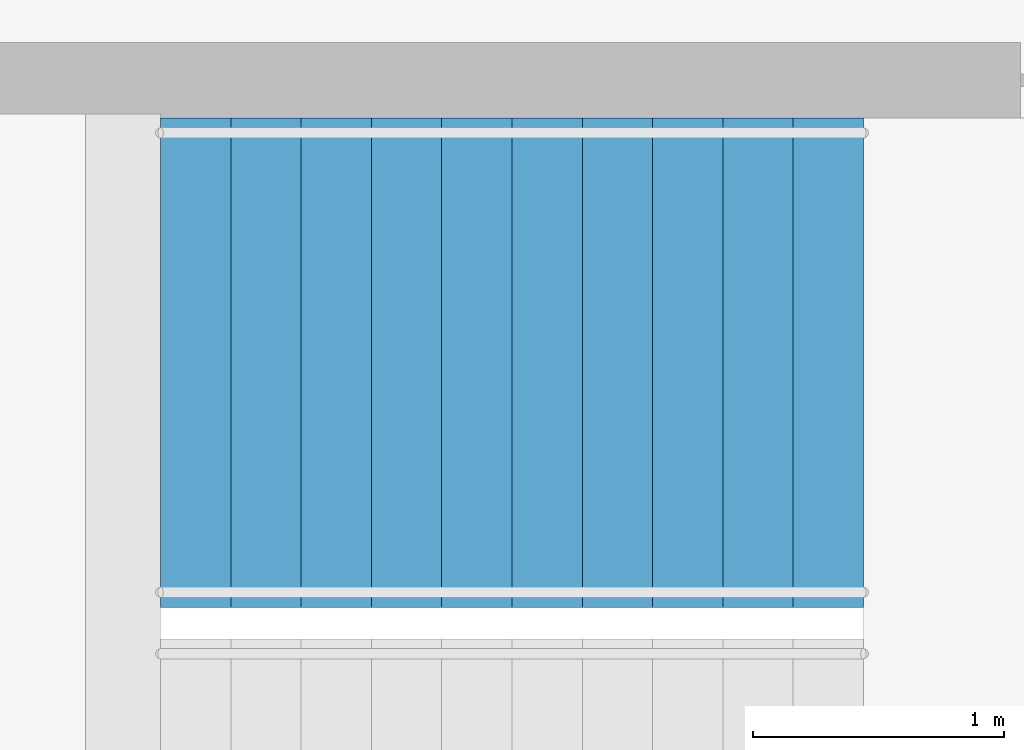
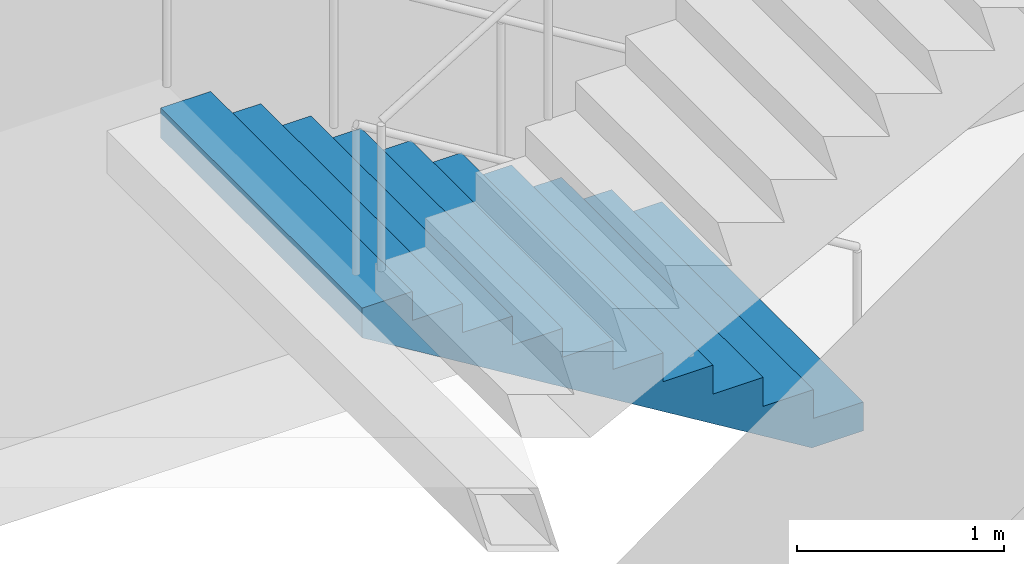
# One storey, part 26 of 27: 1 stair flight, 1 element without a shape of its own.
"""IFC4 building model written with IfcOpenShell, lengths in metres."""

from ifc_helpers import new_model, si_unit, direction, frame, origin, place, context, subcontext, project, spatial, triangles, material, type_object, element, aggregate, save


model = new_model("IFC4")

# Units and contexts
model_context = context("Model", 3, precision=1e-05, world=origin(), true_north=direction((0.0, 1.0)))
body_context = subcontext(model_context, "Body", "Model", "MODEL_VIEW")
ifc_project = project(units=[si_unit("LENGTHUNIT", "METRE"), si_unit("AREAUNIT", "SQUARE_METRE"), si_unit("VOLUMEUNIT", "CUBIC_METRE"), si_unit("PLANEANGLEUNIT", "RADIAN"), si_unit("MASSUNIT", "GRAM", prefix="KILO")], contexts=[model_context])

# Site, building, storey
site_placement = place(None, origin())
site = spatial("IfcSite", under=ifc_project, at=site_placement, CompositionType="ELEMENT")
building_placement = place(site_placement, origin())
building = spatial("IfcBuilding", under=site, at=building_placement, Name="Orbita Commons", CompositionType="ELEMENT")
storey_placement = place(building_placement, frame((0.0, 0.0, 178.60009765625)))
storey = spatial("IfcBuildingStorey", under=building, at=storey_placement, Name="L44", CompositionType="ELEMENT", Elevation=178.60009765625)

# Stair, stair flight
ifc_material_1 = material(Name="Precast concrete C40/50", Category="concrete")
stair_type = type_object("IfcStairType", Name="Exit stair S2 2 flights 11 risers 170", PredefinedType="HALF_TURN_STAIR", material=ifc_material_1)
stair_placement = place(storey_placement, origin())
stair = element("IfcStair", 1, at=stair_placement, inside=storey, type_object=stair_type, Name="Exit stair S2 L44", PredefinedType="HALF_TURN_STAIR")
ifc_material_2 = material(Name="Precast concrete C40/50", Category="concrete")
stair_flight_type = type_object("IfcStairFlightType", Name="Stair flight 11 risers 170 x 280", PredefinedType="STRAIGHT", material=ifc_material_2)
stair_flight_placement = place(storey_placement, frame((63.550048828125, 29.27490234375, 0.0), z_axis=(0.0, 0.0, 1.0), x_axis=(-1.0, 0.0, 0.0)))
stair_flight = element("IfcStairFlight", 2, at=stair_flight_placement, type_object=stair_flight_type, Name="S2 flight 1", NumberOfRisers=11, NumberOfTreads=10, PredefinedType="STRAIGHT", RiserHeight=0.170454545, TreadLength=0.28, context=body_context, shape_type="Tessellation", body=[
    triangles([(0.0, 0.974976, 0.0), (0.0, 0.974976, 0.021307), (0.0, 0.81248, 0.021307), (0.0, 0.81248, 0.0), (0.0, 0.649984, 0.021307), (0.0, 0.649984, 0.0), (0.0, 0.487488, 0.021307), (0.0, 0.487488, 0.0), (0.0, 0.324992, 0.021307), (0.0, 0.324992, 0.0), (0.0, 0.162496, 0.021307), (0.0, 0.162496, 0.0), (0.0, 0.0, 0.021307), (0.0, 0.0, 0.0), (0.0, -0.162496, 0.021307), (0.0, -0.162496, 0.0), (0.0, -0.324992, 0.021307), (0.0, -0.324992, 0.0), (0.0, -0.487488, 0.021307), (0.0, -0.487488, 0.0), (0.0, -0.649984, 0.021307), (0.0, -0.649984, 0.0), (0.0, -0.81248, 0.021307), (0.0, -0.81248, 0.0), (0.0, -0.974976, 0.021307), (0.0, -0.974976, 0.0), (0.0, 0.974976, 0.042614), (0.0, 0.81248, 0.042614), (0.0, 0.649984, 0.042614), (0.0, 0.487488, 0.042614), (0.0, 0.324992, 0.042614), (0.0, 0.162496, 0.042614), (0.0, 0.0, 0.042614), (0.0, -0.162496, 0.042614), (0.0, -0.324992, 0.042614), (0.0, -0.487488, 0.042614), (0.0, -0.649984, 0.042614), (0.0, -0.81248, 0.042614), (0.0, -0.974976, 0.042614), (0.0, 0.974976, 0.06392), (0.0, 0.81248, 0.06392), (0.0, 0.649984, 0.06392), (0.0, 0.487488, 0.06392), (0.0, 0.324992, 0.06392), (0.0, 0.162496, 0.06392), (0.0, 0.0, 0.06392), (0.0, -0.162496, 0.06392), (0.0, -0.324992, 0.06392), (0.0, -0.487488, 0.06392), (0.0, -0.649984, 0.06392), (0.0, -0.81248, 0.06392), (0.0, -0.974976, 0.06392), (0.0, 0.974976, 0.085227), (0.0, 0.81248, 0.085227), (0.0, 0.649984, 0.085227), (0.0, 0.487488, 0.085227), (0.0, 0.324992, 0.085227), (0.0, 0.162496, 0.085227), (0.0, 0.0, 0.085227), (0.0, -0.162496, 0.085227), (0.0, -0.324992, 0.085227), (0.0, -0.487488, 0.085227), (0.0, -0.649984, 0.085227), (0.0, -0.81248, 0.085227), (0.0, -0.974976, 0.085227), (0.0, 0.974976, 0.106534), (0.0, 0.81248, 0.106534), (0.0, 0.649984, 0.106534), (0.0, 0.487488, 0.106534), (0.0, 0.324992, 0.106534), (0.0, 0.162496, 0.106534), (0.0, 0.0, 0.106534), (0.0, -0.162496, 0.106534), (0.0, -0.324992, 0.106534), (0.0, -0.487488, 0.106534), (0.0, -0.649984, 0.106534), (0.0, -0.81248, 0.106534), (0.0, -0.974976, 0.106534), (0.0, 0.974976, 0.127841), (0.0, 0.81248, 0.127841), (0.0, 0.649984, 0.127841), (0.0, 0.487488, 0.127841), (0.0, 0.324992, 0.127841), (0.0, 0.162496, 0.127841), (0.0, 0.0, 0.127841), (0.0, -0.162496, 0.127841), (0.0, -0.324992, 0.127841), (0.0, -0.487488, 0.127841), (0.0, -0.649984, 0.127841), (0.0, -0.81248, 0.127841), (0.0, -0.974976, 0.127841), (0.0, 0.974976, 0.149148), (0.0, 0.81248, 0.149148), (0.0, 0.649984, 0.149148), (0.0, 0.487488, 0.149148), (0.0, 0.324992, 0.149148), (0.0, 0.162496, 0.149148), (0.0, 0.0, 0.149148), (0.0, -0.162496, 0.149148), (0.0, -0.324992, 0.149148), (0.0, -0.487488, 0.149148), (0.0, -0.649984, 0.149148), (0.0, -0.81248, 0.149148), (0.0, -0.974976, 0.149148), (0.0, 0.974976, 0.170455), (0.0, 0.81248, 0.170455), (0.0, 0.649984, 0.170455), (0.0, 0.487488, 0.170455), (0.0, 0.324992, 0.170455), (0.0, 0.162496, 0.170455), (0.0, 0.0, 0.170455), (0.0, -0.162496, 0.170455), (0.0, -0.324992, 0.170455), (0.0, -0.487488, 0.170455), (0.0, -0.649984, 0.170455), (0.0, -0.81248, 0.170455), (0.0, -0.974976, 0.170455), (0.28, 0.974976, 0.170455), (0.28, 0.81248, 0.170455), (0.28, 0.649984, 0.170455), (0.28, 0.487488, 0.170455), (0.28, 0.324992, 0.170455), (0.28, 0.162496, 0.170455), (0.28, 0.0, 0.170455), (0.28, -0.162496, 0.170455), (0.28, -0.324992, 0.170455), (0.28, -0.487488, 0.170455), (0.28, -0.649984, 0.170455), (0.28, -0.81248, 0.170455), (0.28, -0.974976, 0.170455), (0.28, 0.974976, 0.340909), (0.28, 0.81248, 0.340909), (0.28, 0.649984, 0.340909), (0.28, 0.487488, 0.340909), (0.28, 0.324992, 0.340909), (0.28, 0.162496, 0.340909), (0.28, 0.0, 0.340909), (0.28, -0.162496, 0.340909), (0.28, -0.324992, 0.340909), (0.28, -0.487488, 0.340909), (0.28, -0.649984, 0.340909), (0.28, -0.81248, 0.340909), (0.28, -0.974976, 0.340909), (0.56, 0.974976, 0.340909), (0.56, 0.81248, 0.340909), (0.56, 0.649984, 0.340909), (0.56, 0.487488, 0.340909), (0.56, 0.324992, 0.340909), (0.56, 0.162496, 0.340909), (0.56, 0.0, 0.340909), (0.56, -0.162496, 0.340909), (0.56, -0.324992, 0.340909), (0.56, -0.487488, 0.340909), (0.56, -0.649984, 0.340909), (0.56, -0.81248, 0.340909), (0.56, -0.974976, 0.340909), (0.56, 0.974976, 0.511364), (0.56, 0.81248, 0.511364), (0.56, 0.649984, 0.511364), (0.56, 0.487488, 0.511364), (0.56, 0.324992, 0.511364), (0.56, 0.162496, 0.511364), (0.56, 0.0, 0.511364), (0.56, -0.162496, 0.511364), (0.56, -0.324992, 0.511364), (0.56, -0.487488, 0.511364), (0.56, -0.649984, 0.511364), (0.56, -0.81248, 0.511364), (0.56, -0.974976, 0.511364), (0.84, 0.974976, 0.511364), (0.84, 0.81248, 0.511364), (0.84, 0.649984, 0.511364), (0.84, 0.487488, 0.511364), (0.84, 0.324992, 0.511364), (0.84, 0.162496, 0.511364), (0.84, 0.0, 0.511364), (0.84, -0.162496, 0.511364), (0.84, -0.324992, 0.511364), (0.84, -0.487488, 0.511364), (0.84, -0.649984, 0.511364), (0.84, -0.81248, 0.511364), (0.84, -0.974976, 0.511364), (0.84, 0.974976, 0.681818), (0.84, 0.81248, 0.681818), (0.84, 0.649984, 0.681818), (0.84, 0.487488, 0.681818), (0.84, 0.324992, 0.681818), (0.84, 0.162496, 0.681818), (0.84, 0.0, 0.681818), (0.84, -0.162496, 0.681818), (0.84, -0.324992, 0.681818), (0.84, -0.487488, 0.681818), (0.84, -0.649984, 0.681818), (0.84, -0.81248, 0.681818), (0.84, -0.974976, 0.681818), (1.12, 0.974976, 0.681818), (1.12, 0.81248, 0.681818), (1.12, 0.649984, 0.681818), (1.12, 0.487488, 0.681818), (1.12, 0.324992, 0.681818), (1.12, 0.162496, 0.681818), (1.12, 0.0, 0.681818), (1.12, -0.162496, 0.681818), (1.12, -0.324992, 0.681818), (1.12, -0.487488, 0.681818), (1.12, -0.649984, 0.681818), (1.12, -0.81248, 0.681818), (1.12, -0.974976, 0.681818), (1.12, 0.974976, 0.852273), (1.12, 0.81248, 0.852273), (1.12, 0.649984, 0.852273), (1.12, 0.487488, 0.852273), (1.12, 0.324992, 0.852273), (1.12, 0.162496, 0.852273), (1.12, 0.0, 0.852273), (1.12, -0.162496, 0.852273), (1.12, -0.324992, 0.852273), (1.12, -0.487488, 0.852273), (1.12, -0.649984, 0.852273), (1.12, -0.81248, 0.852273), (1.12, -0.974976, 0.852273), (1.4, 0.974976, 0.852273), (1.4, 0.81248, 0.852273), (1.4, 0.649984, 0.852273), (1.4, 0.487488, 0.852273), (1.4, 0.324992, 0.852273), (1.4, 0.162496, 0.852273), (1.4, 0.0, 0.852273), (1.4, -0.162496, 0.852273), (1.4, -0.324992, 0.852273), (1.4, -0.487488, 0.852273), (1.4, -0.649984, 0.852273), (1.4, -0.81248, 0.852273), (1.4, -0.974976, 0.852273), (1.4, 0.974976, 1.022727), (1.4, 0.81248, 1.022727), (1.4, 0.649984, 1.022727), (1.4, 0.487488, 1.022727), (1.4, 0.324992, 1.022727), (1.4, 0.162496, 1.022727), (1.4, 0.0, 1.022727), (1.4, -0.162496, 1.022727), (1.4, -0.324992, 1.022727), (1.4, -0.487488, 1.022727), (1.4, -0.649984, 1.022727), (1.4, -0.81248, 1.022727), (1.4, -0.974976, 1.022727), (1.68, 0.974976, 1.022727), (1.68, 0.81248, 1.022727), (1.68, 0.649984, 1.022727), (1.68, 0.487488, 1.022727), (1.68, 0.324992, 1.022727), (1.68, 0.162496, 1.022727), (1.68, 0.0, 1.022727), (1.68, -0.162496, 1.022727), (1.68, -0.324992, 1.022727), (1.68, -0.487488, 1.022727), (1.68, -0.649984, 1.022727), (1.68, -0.81248, 1.022727), (1.68, -0.974976, 1.022727), (1.68, 0.974976, 1.193182), (1.68, 0.81248, 1.193182), (1.68, 0.649984, 1.193182), (1.68, 0.487488, 1.193182), (1.68, 0.324992, 1.193182), (1.68, 0.162496, 1.193182), (1.68, 0.0, 1.193182), (1.68, -0.162496, 1.193182), (1.68, -0.324992, 1.193182), (1.68, -0.487488, 1.193182), (1.68, -0.649984, 1.193182), (1.68, -0.81248, 1.193182), (1.68, -0.974976, 1.193182), (1.96, 0.974976, 1.193182), (1.96, 0.81248, 1.193182), (1.96, 0.649984, 1.193182), (1.96, 0.487488, 1.193182), (1.96, 0.324992, 1.193182), (1.96, 0.162496, 1.193182), (1.96, 0.0, 1.193182), (1.96, -0.162496, 1.193182), (1.96, -0.324992, 1.193182), (1.96, -0.487488, 1.193182), (1.96, -0.649984, 1.193182), (1.96, -0.81248, 1.193182), (1.96, -0.974976, 1.193182), (1.96, 0.974976, 1.363636), (1.96, 0.81248, 1.363636), (1.96, 0.649984, 1.363636), (1.96, 0.487488, 1.363636), (1.96, 0.324992, 1.363636), (1.96, 0.162496, 1.363636), (1.96, 0.0, 1.363636), (1.96, -0.162496, 1.363636), (1.96, -0.324992, 1.363636), (1.96, -0.487488, 1.363636), (1.96, -0.649984, 1.363636), (1.96, -0.81248, 1.363636), (1.96, -0.974976, 1.363636), (2.24, 0.974976, 1.363636), (2.24, 0.81248, 1.363636), (2.24, 0.649984, 1.363636), (2.24, 0.487488, 1.363636), (2.24, 0.324992, 1.363636), (2.24, 0.162496, 1.363636), (2.24, 0.0, 1.363636), (2.24, -0.162496, 1.363636), (2.24, -0.324992, 1.363636), (2.24, -0.487488, 1.363636), (2.24, -0.649984, 1.363636), (2.24, -0.81248, 1.363636), (2.24, -0.974976, 1.363636), (2.24, 0.974976, 1.534091), (2.24, 0.81248, 1.534091), (2.24, 0.649984, 1.534091), (2.24, 0.487488, 1.534091), (2.24, 0.324992, 1.534091), (2.24, 0.162496, 1.534091), (2.24, 0.0, 1.534091), (2.24, -0.162496, 1.534091), (2.24, -0.324992, 1.534091), (2.24, -0.487488, 1.534091), (2.24, -0.649984, 1.534091), (2.24, -0.81248, 1.534091), (2.24, -0.974976, 1.534091), (2.52, 0.974976, 1.534091), (2.52, 0.81248, 1.534091), (2.52, 0.649984, 1.534091), (2.52, 0.487488, 1.534091), (2.52, 0.324992, 1.534091), (2.52, 0.162496, 1.534091), (2.52, 0.0, 1.534091), (2.52, -0.162496, 1.534091), (2.52, -0.324992, 1.534091), (2.52, -0.487488, 1.534091), (2.52, -0.649984, 1.534091), (2.52, -0.81248, 1.534091), (2.52, -0.974976, 1.534091), (2.52, 0.974976, 1.704545), (2.52, 0.81248, 1.704545), (2.52, 0.649984, 1.704545), (2.52, 0.487488, 1.704545), (2.52, 0.324992, 1.704545), (2.52, 0.162496, 1.704545), (2.52, 0.0, 1.704545), (2.52, -0.162496, 1.704545), (2.52, -0.324992, 1.704545), (2.52, -0.487488, 1.704545), (2.52, -0.649984, 1.704545), (2.52, -0.81248, 1.704545), (2.52, -0.974976, 1.704545), (2.8, 0.974976, 1.704545), (2.8, 0.81248, 1.704545), (2.8, 0.649984, 1.704545), (2.8, 0.487488, 1.704545), (2.8, 0.324992, 1.704545), (2.8, 0.162496, 1.704545), (2.8, 0.0, 1.704545), (2.8, -0.162496, 1.704545), (2.8, -0.324992, 1.704545), (2.8, -0.487488, 1.704545), (2.8, -0.649984, 1.704545), (2.8, -0.81248, 1.704545), (2.8, -0.974976, 1.704545), (2.8, 0.974976, 1.682609), (2.8, 0.81248, 1.682609), (2.8, 0.649984, 1.682609), (2.8, 0.487488, 1.682609), (2.8, 0.324992, 1.682609), (2.8, 0.162496, 1.682609), (2.8, 0.0, 1.682609), (2.8, -0.162496, 1.682609), (2.8, -0.324992, 1.682609), (2.8, -0.487488, 1.682609), (2.8, -0.649984, 1.682609), (2.8, -0.81248, 1.682609), (2.8, -0.974976, 1.682609), (2.8, 0.974976, 1.660672), (2.8, 0.81248, 1.660672), (2.8, 0.649984, 1.660672), (2.8, 0.487488, 1.660672), (2.8, 0.324992, 1.660672), (2.8, 0.162496, 1.660672), (2.8, 0.0, 1.660672), (2.8, -0.162496, 1.660672), (2.8, -0.324992, 1.660672), (2.8, -0.487488, 1.660672), (2.8, -0.649984, 1.660672), (2.8, -0.81248, 1.660672), (2.8, -0.974976, 1.660672), (2.8, 0.974976, 1.638735), (2.8, 0.81248, 1.638735), (2.8, 0.649984, 1.638735), (2.8, 0.487488, 1.638735), (2.8, 0.324992, 1.638735), (2.8, 0.162496, 1.638735), (2.8, 0.0, 1.638735), (2.8, -0.162496, 1.638735), (2.8, -0.324992, 1.638735), (2.8, -0.487488, 1.638735), (2.8, -0.649984, 1.638735), (2.8, -0.81248, 1.638735), (2.8, -0.974976, 1.638735), (2.8, 0.974976, 1.616798), (2.8, 0.81248, 1.616798), (2.8, 0.649984, 1.616798), (2.8, 0.487488, 1.616798), (2.8, 0.324992, 1.616798), (2.8, 0.162496, 1.616798), (2.8, 0.0, 1.616798), (2.8, -0.162496, 1.616798), (2.8, -0.324992, 1.616798), (2.8, -0.487488, 1.616798), (2.8, -0.649984, 1.616798), (2.8, -0.81248, 1.616798), (2.8, -0.974976, 1.616798), (2.8, 0.974976, 1.594861), (2.8, 0.81248, 1.594861), (2.8, 0.649984, 1.594861), (2.8, 0.487488, 1.594861), (2.8, 0.324992, 1.594861), (2.8, 0.162496, 1.594861), (2.8, 0.0, 1.594861), (2.8, -0.162496, 1.594861), (2.8, -0.324992, 1.594861), (2.8, -0.487488, 1.594861), (2.8, -0.649984, 1.594861), (2.8, -0.81248, 1.594861), (2.8, -0.974976, 1.594861), (2.8, 0.974976, 1.572925), (2.8, 0.81248, 1.572925), (2.8, 0.649984, 1.572925), (2.8, 0.487488, 1.572925), (2.8, 0.324992, 1.572925), (2.8, 0.162496, 1.572925), (2.8, 0.0, 1.572925), (2.8, -0.162496, 1.572925), (2.8, -0.324992, 1.572925), (2.8, -0.487488, 1.572925), (2.8, -0.649984, 1.572925), (2.8, -0.81248, 1.572925), (2.8, -0.974976, 1.572925), (2.8, 0.974976, 1.550988), (2.8, 0.81248, 1.550988), (2.8, 0.649984, 1.550988), (2.8, 0.487488, 1.550988), (2.8, 0.324992, 1.550988), (2.8, 0.162496, 1.550988), (2.8, 0.0, 1.550988), (2.8, -0.162496, 1.550988), (2.8, -0.324992, 1.550988), (2.8, -0.487488, 1.550988), (2.8, -0.649984, 1.550988), (2.8, -0.81248, 1.550988), (2.8, -0.974976, 1.550988), (2.8, 0.974976, 1.529051), (2.8, 0.81248, 1.529051), (2.8, 0.649984, 1.529051), (2.8, 0.487488, 1.529051), (2.8, 0.324992, 1.529051), (2.8, 0.162496, 1.529051), (2.8, 0.0, 1.529051), (2.8, -0.162496, 1.529051), (2.8, -0.324992, 1.529051), (2.8, -0.487488, 1.529051), (2.8, -0.649984, 1.529051), (2.8, -0.81248, 1.529051), (2.8, -0.974976, 1.529051), (0.288279, 0.974976, 0.0), (0.288279, 0.81248, 0.0), (0.288279, 0.649984, 0.0), (0.288279, 0.487488, 0.0), (0.288279, 0.324992, 0.0), (0.288279, 0.162496, 0.0), (0.288279, 0.0, 0.0), (0.288279, -0.162496, 0.0), (0.288279, -0.324992, 0.0), (0.288279, -0.487488, 0.0), (0.288279, -0.649984, 0.0), (0.288279, -0.81248, 0.0), (0.288279, -0.974976, 0.0)], [[3, 2, 1], [4, 3, 1], [5, 3, 4], [6, 5, 4], [7, 5, 6], [8, 7, 6], [9, 7, 8], [10, 9, 8], [11, 9, 10], [12, 11, 10], [13, 11, 12], [14, 13, 12], [15, 13, 14], [16, 15, 14], [17, 15, 16], [18, 17, 16], [19, 17, 18], [20, 19, 18], [21, 19, 20], [22, 21, 20], [23, 21, 22], [24, 23, 22], [25, 23, 24], [26, 25, 24], [28, 27, 2], [3, 28, 2], [29, 28, 3], [5, 29, 3], [30, 29, 5], [7, 30, 5], [31, 30, 7], [9, 31, 7], [32, 31, 9], [11, 32, 9], [33, 32, 11], [13, 33, 11], [34, 33, 13], [15, 34, 13], [35, 34, 15], [17, 35, 15], [36, 35, 17], [19, 36, 17], [37, 36, 19], [21, 37, 19], [38, 37, 21], [23, 38, 21], [39, 38, 23], [25, 39, 23], [41, 40, 27], [28, 41, 27], [42, 41, 28], [29, 42, 28], [43, 42, 29], [30, 43, 29], [44, 43, 30], [31, 44, 30], [45, 44, 31], [32, 45, 31], [46, 45, 32], [33, 46, 32], [47, 46, 33], [34, 47, 33], [48, 47, 34], [35, 48, 34], [49, 48, 35], [36, 49, 35], [50, 49, 36], [37, 50, 36], [51, 50, 37], [38, 51, 37], [52, 51, 38], [39, 52, 38], [54, 53, 40], [41, 54, 40], [55, 54, 41], [42, 55, 41], [56, 55, 42], [43, 56, 42], [57, 56, 43], [44, 57, 43], [58, 57, 44], [45, 58, 44], [59, 58, 45], [46, 59, 45], [60, 59, 46], [47, 60, 46], [61, 60, 47], [48, 61, 47], [62, 61, 48], [49, 62, 48], [63, 62, 49], [50, 63, 49], [64, 63, 50], [51, 64, 50], [65, 64, 51], [52, 65, 51], [67, 66, 53], [54, 67, 53], [68, 67, 54], [55, 68, 54], [69, 68, 55], [56, 69, 55], [70, 69, 56], [57, 70, 56], [71, 70, 57], [58, 71, 57], [72, 71, 58], [59, 72, 58], [73, 72, 59], [60, 73, 59], [74, 73, 60], [61, 74, 60], [75, 74, 61], [62, 75, 61], [76, 75, 62], [63, 76, 62], [77, 76, 63], [64, 77, 63], [78, 77, 64], [65, 78, 64], [80, 79, 66], [67, 80, 66], [81, 80, 67], [68, 81, 67], [82, 81, 68], [69, 82, 68], [83, 82, 69], [70, 83, 69], [84, 83, 70], [71, 84, 70], [85, 84, 71], [72, 85, 71], [86, 85, 72], [73, 86, 72], [87, 86, 73], [74, 87, 73], [88, 87, 74], [75, 88, 74], [89, 88, 75], [76, 89, 75], [90, 89, 76], [77, 90, 76], [91, 90, 77], [78, 91, 77], [93, 92, 79], [80, 93, 79], [94, 93, 80], [81, 94, 80], [95, 94, 81], [82, 95, 81], [96, 95, 82], [83, 96, 82], [97, 96, 83], [84, 97, 83], [98, 97, 84], [85, 98, 84], [99, 98, 85], [86, 99, 85], [100, 99, 86], [87, 100, 86], [101, 100, 87], [88, 101, 87], [102, 101, 88], [89, 102, 88], [103, 102, 89], [90, 103, 89], [104, 103, 90], [91, 104, 90], [106, 105, 92], [93, 106, 92], [107, 106, 93], [94, 107, 93], [108, 107, 94], [95, 108, 94], [109, 108, 95], [96, 109, 95], [110, 109, 96], [97, 110, 96], [111, 110, 97], [98, 111, 97], [112, 111, 98], [99, 112, 98], [113, 112, 99], [100, 113, 99], [114, 113, 100], [101, 114, 100], [115, 114, 101], [102, 115, 101], [116, 115, 102], [103, 116, 102], [117, 116, 103], [104, 117, 103], [119, 118, 105], [106, 119, 105], [120, 119, 106], [107, 120, 106], [121, 120, 107], [108, 121, 107], [122, 121, 108], [109, 122, 108], [123, 122, 109], [110, 123, 109], [124, 123, 110], [111, 124, 110], [125, 124, 111], [112, 125, 111], [126, 125, 112], [113, 126, 112], [127, 126, 113], [114, 127, 113], [128, 127, 114], [115, 128, 114], [129, 128, 115], [116, 129, 115], [130, 129, 116], [117, 130, 116], [132, 131, 118], [119, 132, 118], [133, 132, 119], [120, 133, 119], [134, 133, 120], [121, 134, 120], [135, 134, 121], [122, 135, 121], [136, 135, 122], [123, 136, 122], [137, 136, 123], [124, 137, 123], [138, 137, 124], [125, 138, 124], [139, 138, 125], [126, 139, 125], [140, 139, 126], [127, 140, 126], [141, 140, 127], [128, 141, 127], [142, 141, 128], [129, 142, 128], [143, 142, 129], [130, 143, 129], [145, 144, 131], [132, 145, 131], [146, 145, 132], [133, 146, 132], [147, 146, 133], [134, 147, 133], [148, 147, 134], [135, 148, 134], [149, 148, 135], [136, 149, 135], [150, 149, 136], [137, 150, 136], [151, 150, 137], [138, 151, 137], [152, 151, 138], [139, 152, 138], [153, 152, 139], [140, 153, 139], [154, 153, 140], [141, 154, 140], [155, 154, 141], [142, 155, 141], [156, 155, 142], [143, 156, 142], [158, 157, 144], [145, 158, 144], [159, 158, 145], [146, 159, 145], [160, 159, 146], [147, 160, 146], [161, 160, 147], [148, 161, 147], [162, 161, 148], [149, 162, 148], [163, 162, 149], [150, 163, 149], [164, 163, 150], [151, 164, 150], [165, 164, 151], [152, 165, 151], [166, 165, 152], [153, 166, 152], [167, 166, 153], [154, 167, 153], [168, 167, 154], [155, 168, 154], [169, 168, 155], [156, 169, 155], [171, 170, 157], [158, 171, 157], [172, 171, 158], [159, 172, 158], [173, 172, 159], [160, 173, 159], [174, 173, 160], [161, 174, 160], [175, 174, 161], [162, 175, 161], [176, 175, 162], [163, 176, 162], [177, 176, 163], [164, 177, 163], [178, 177, 164], [165, 178, 164], [179, 178, 165], [166, 179, 165], [180, 179, 166], [167, 180, 166], [181, 180, 167], [168, 181, 167], [182, 181, 168], [169, 182, 168], [184, 183, 170], [171, 184, 170], [185, 184, 171], [172, 185, 171], [186, 185, 172], [173, 186, 172], [187, 186, 173], [174, 187, 173], [188, 187, 174], [175, 188, 174], [189, 188, 175], [176, 189, 175], [190, 189, 176], [177, 190, 176], [191, 190, 177], [178, 191, 177], [192, 191, 178], [179, 192, 178], [193, 192, 179], [180, 193, 179], [194, 193, 180], [181, 194, 180], [195, 194, 181], [182, 195, 181], [197, 196, 183], [184, 197, 183], [198, 197, 184], [185, 198, 184], [199, 198, 185], [186, 199, 185], [200, 199, 186], [187, 200, 186], [201, 200, 187], [188, 201, 187], [202, 201, 188], [189, 202, 188], [203, 202, 189], [190, 203, 189], [204, 203, 190], [191, 204, 190], [205, 204, 191], [192, 205, 191], [206, 205, 192], [193, 206, 192], [207, 206, 193], [194, 207, 193], [208, 207, 194], [195, 208, 194], [210, 209, 196], [197, 210, 196], [211, 210, 197], [198, 211, 197], [212, 211, 198], [199, 212, 198], [213, 212, 199], [200, 213, 199], [214, 213, 200], [201, 214, 200], [215, 214, 201], [202, 215, 201], [216, 215, 202], [203, 216, 202], [217, 216, 203], [204, 217, 203], [218, 217, 204], [205, 218, 204], [219, 218, 205], [206, 219, 205], [220, 219, 206], [207, 220, 206], [221, 220, 207], [208, 221, 207], [223, 222, 209], [210, 223, 209], [224, 223, 210], [211, 224, 210], [225, 224, 211], [212, 225, 211], [226, 225, 212], [213, 226, 212], [227, 226, 213], [214, 227, 213], [228, 227, 214], [215, 228, 214], [229, 228, 215], [216, 229, 215], [230, 229, 216], [217, 230, 216], [231, 230, 217], [218, 231, 217], [232, 231, 218], [219, 232, 218], [233, 232, 219], [220, 233, 219], [234, 233, 220], [221, 234, 220], [236, 235, 222], [223, 236, 222], [237, 236, 223], [224, 237, 223], [238, 237, 224], [225, 238, 224], [239, 238, 225], [226, 239, 225], [240, 239, 226], [227, 240, 226], [241, 240, 227], [228, 241, 227], [242, 241, 228], [229, 242, 228], [243, 242, 229], [230, 243, 229], [244, 243, 230], [231, 244, 230], [245, 244, 231], [232, 245, 231], [246, 245, 232], [233, 246, 232], [247, 246, 233], [234, 247, 233], [249, 248, 235], [236, 249, 235], [250, 249, 236], [237, 250, 236], [251, 250, 237], [238, 251, 237], [252, 251, 238], [239, 252, 238], [253, 252, 239], [240, 253, 239], [254, 253, 240], [241, 254, 240], [255, 254, 241], [242, 255, 241], [256, 255, 242], [243, 256, 242], [257, 256, 243], [244, 257, 243], [258, 257, 244], [245, 258, 244], [259, 258, 245], [246, 259, 245], [260, 259, 246], [247, 260, 246], [262, 261, 248], [249, 262, 248], [263, 262, 249], [250, 263, 249], [264, 263, 250], [251, 264, 250], [265, 264, 251], [252, 265, 251], [266, 265, 252], [253, 266, 252], [267, 266, 253], [254, 267, 253], [268, 267, 254], [255, 268, 254], [269, 268, 255], [256, 269, 255], [270, 269, 256], [257, 270, 256], [271, 270, 257], [258, 271, 257], [272, 271, 258], [259, 272, 258], [273, 272, 259], [260, 273, 259], [275, 274, 261], [262, 275, 261], [276, 275, 262], [263, 276, 262], [277, 276, 263], [264, 277, 263], [278, 277, 264], [265, 278, 264], [279, 278, 265], [266, 279, 265], [280, 279, 266], [267, 280, 266], [281, 280, 267], [268, 281, 267], [282, 281, 268], [269, 282, 268], [283, 282, 269], [270, 283, 269], [284, 283, 270], [271, 284, 270], [285, 284, 271], [272, 285, 271], [286, 285, 272], [273, 286, 272], [288, 287, 274], [275, 288, 274], [289, 288, 275], [276, 289, 275], [290, 289, 276], [277, 290, 276], [291, 290, 277], [278, 291, 277], [292, 291, 278], [279, 292, 278], [293, 292, 279], [280, 293, 279], [294, 293, 280], [281, 294, 280], [295, 294, 281], [282, 295, 281], [296, 295, 282], [283, 296, 282], [297, 296, 283], [284, 297, 283], [298, 297, 284], [285, 298, 284], [299, 298, 285], [286, 299, 285], [301, 300, 287], [288, 301, 287], [302, 301, 288], [289, 302, 288], [303, 302, 289], [290, 303, 289], [304, 303, 290], [291, 304, 290], [305, 304, 291], [292, 305, 291], [306, 305, 292], [293, 306, 292], [307, 306, 293], [294, 307, 293], [308, 307, 294], [295, 308, 294], [309, 308, 295], [296, 309, 295], [310, 309, 296], [297, 310, 296], [311, 310, 297], [298, 311, 297], [312, 311, 298], [299, 312, 298], [314, 313, 300], [301, 314, 300], [315, 314, 301], [302, 315, 301], [316, 315, 302], [303, 316, 302], [317, 316, 303], [304, 317, 303], [318, 317, 304], [305, 318, 304], [319, 318, 305], [306, 319, 305], [320, 319, 306], [307, 320, 306], [321, 320, 307], [308, 321, 307], [322, 321, 308], [309, 322, 308], [323, 322, 309], [310, 323, 309], [324, 323, 310], [311, 324, 310], [325, 324, 311], [312, 325, 311], [327, 326, 313], [314, 327, 313], [328, 327, 314], [315, 328, 314], [329, 328, 315], [316, 329, 315], [330, 329, 316], [317, 330, 316], [331, 330, 317], [318, 331, 317], [332, 331, 318], [319, 332, 318], [333, 332, 319], [320, 333, 319], [334, 333, 320], [321, 334, 320], [335, 334, 321], [322, 335, 321], [336, 335, 322], [323, 336, 322], [337, 336, 323], [324, 337, 323], [338, 337, 324], [325, 338, 324], [340, 339, 326], [327, 340, 326], [341, 340, 327], [328, 341, 327], [342, 341, 328], [329, 342, 328], [343, 342, 329], [330, 343, 329], [344, 343, 330], [331, 344, 330], [345, 344, 331], [332, 345, 331], [346, 345, 332], [333, 346, 332], [347, 346, 333], [334, 347, 333], [348, 347, 334], [335, 348, 334], [349, 348, 335], [336, 349, 335], [350, 349, 336], [337, 350, 336], [351, 350, 337], [338, 351, 337], [353, 352, 339], [340, 353, 339], [354, 353, 340], [341, 354, 340], [355, 354, 341], [342, 355, 341], [356, 355, 342], [343, 356, 342], [357, 356, 343], [344, 357, 343], [358, 357, 344], [345, 358, 344], [359, 358, 345], [346, 359, 345], [360, 359, 346], [347, 360, 346], [361, 360, 347], [348, 361, 347], [362, 361, 348], [349, 362, 348], [363, 362, 349], [350, 363, 349], [364, 363, 350], [351, 364, 350], [366, 365, 352], [353, 366, 352], [367, 366, 353], [354, 367, 353], [368, 367, 354], [355, 368, 354], [369, 368, 355], [356, 369, 355], [370, 369, 356], [357, 370, 356], [371, 370, 357], [358, 371, 357], [372, 371, 358], [359, 372, 358], [373, 372, 359], [360, 373, 359], [374, 373, 360], [361, 374, 360], [375, 374, 361], [362, 375, 361], [376, 375, 362], [363, 376, 362], [377, 376, 363], [364, 377, 363], [379, 378, 365], [366, 379, 365], [380, 379, 366], [367, 380, 366], [381, 380, 367], [368, 381, 367], [382, 381, 368], [369, 382, 368], [383, 382, 369], [370, 383, 369], [384, 383, 370], [371, 384, 370], [385, 384, 371], [372, 385, 371], [386, 385, 372], [373, 386, 372], [387, 386, 373], [374, 387, 373], [388, 387, 374], [375, 388, 374], [389, 388, 375], [376, 389, 375], [390, 389, 376], [377, 390, 376], [392, 391, 378], [379, 392, 378], [393, 392, 379], [380, 393, 379], [394, 393, 380], [381, 394, 380], [395, 394, 381], [382, 395, 381], [396, 395, 382], [383, 396, 382], [397, 396, 383], [384, 397, 383], [398, 397, 384], [385, 398, 384], [399, 398, 385], [386, 399, 385], [400, 399, 386], [387, 400, 386], [401, 400, 387], [388, 401, 387], [402, 401, 388], [389, 402, 388], [403, 402, 389], [390, 403, 389], [405, 404, 391], [392, 405, 391], [406, 405, 392], [393, 406, 392], [407, 406, 393], [394, 407, 393], [408, 407, 394], [395, 408, 394], [409, 408, 395], [396, 409, 395], [410, 409, 396], [397, 410, 396], [411, 410, 397], [398, 411, 397], [412, 411, 398], [399, 412, 398], [413, 412, 399], [400, 413, 399], [414, 413, 400], [401, 414, 400], [415, 414, 401], [402, 415, 401], [416, 415, 402], [403, 416, 402], [418, 417, 404], [405, 418, 404], [419, 418, 405], [406, 419, 405], [420, 419, 406], [407, 420, 406], [421, 420, 407], [408, 421, 407], [422, 421, 408], [409, 422, 408], [423, 422, 409], [410, 423, 409], [424, 423, 410], [411, 424, 410], [425, 424, 411], [412, 425, 411], [426, 425, 412], [413, 426, 412], [427, 426, 413], [414, 427, 413], [428, 427, 414], [415, 428, 414], [429, 428, 415], [416, 429, 415], [431, 430, 417], [418, 431, 417], [432, 431, 418], [419, 432, 418], [433, 432, 419], [420, 433, 419], [434, 433, 420], [421, 434, 420], [435, 434, 421], [422, 435, 421], [436, 435, 422], [423, 436, 422], [437, 436, 423], [424, 437, 423], [438, 437, 424], [425, 438, 424], [439, 438, 425], [426, 439, 425], [440, 439, 426], [427, 440, 426], [441, 440, 427], [428, 441, 427], [442, 441, 428], [429, 442, 428], [444, 443, 430], [431, 444, 430], [445, 444, 431], [432, 445, 431], [446, 445, 432], [433, 446, 432], [447, 446, 433], [434, 447, 433], [448, 447, 434], [435, 448, 434], [449, 448, 435], [436, 449, 435], [450, 449, 436], [437, 450, 436], [451, 450, 437], [438, 451, 437], [452, 451, 438], [439, 452, 438], [453, 452, 439], [440, 453, 439], [454, 453, 440], [441, 454, 440], [455, 454, 441], [442, 455, 441], [457, 456, 443], [444, 457, 443], [458, 457, 444], [445, 458, 444], [459, 458, 445], [446, 459, 445], [460, 459, 446], [447, 460, 446], [461, 460, 447], [448, 461, 447], [462, 461, 448], [449, 462, 448], [463, 462, 449], [450, 463, 449], [464, 463, 450], [451, 464, 450], [465, 464, 451], [452, 465, 451], [466, 465, 452], [453, 466, 452], [467, 466, 453], [454, 467, 453], [468, 467, 454], [455, 468, 454], [470, 469, 456], [457, 470, 456], [471, 470, 457], [458, 471, 457], [472, 471, 458], [459, 472, 458], [473, 472, 459], [460, 473, 459], [474, 473, 460], [461, 474, 460], [475, 474, 461], [462, 475, 461], [476, 475, 462], [463, 476, 462], [477, 476, 463], [464, 477, 463], [478, 477, 464], [465, 478, 464], [479, 478, 465], [466, 479, 465], [480, 479, 466], [467, 480, 466], [481, 480, 467], [468, 481, 467], [4, 1, 469], [470, 4, 469], [6, 4, 470], [471, 6, 470], [8, 6, 471], [472, 8, 471], [10, 8, 472], [473, 10, 472], [12, 10, 473], [474, 12, 473], [14, 12, 474], [475, 14, 474], [16, 14, 475], [476, 16, 475], [18, 16, 476], [477, 18, 476], [20, 18, 477], [478, 20, 477], [22, 20, 478], [479, 22, 478], [24, 22, 479], [480, 24, 479], [26, 24, 480], [481, 26, 480], [456, 469, 1], [26, 481, 468], [443, 456, 1], [26, 468, 455], [430, 443, 1], [26, 455, 442], [417, 430, 1], [26, 442, 429], [404, 417, 1], [26, 429, 416], [391, 404, 1], [26, 416, 403], [378, 391, 1], [26, 403, 390], [365, 378, 1], [26, 390, 377], [339, 352, 365], [377, 364, 351], [326, 339, 365], [377, 351, 338], [300, 313, 326], [338, 325, 312], [300, 326, 365], [377, 338, 312], [274, 287, 300], [312, 299, 286], [274, 300, 365], [377, 312, 286], [248, 261, 274], [286, 273, 260], [248, 274, 365], [377, 286, 260], [222, 235, 248], [260, 247, 234], [222, 248, 365], [377, 260, 234], [196, 209, 222], [234, 221, 208], [196, 222, 365], [377, 234, 208], [170, 183, 196], [208, 195, 182], [170, 196, 365], [377, 208, 182], [144, 157, 170], [182, 169, 156], [144, 170, 365], [377, 182, 156], [118, 131, 144], [156, 143, 130], [118, 144, 365], [377, 156, 130], [118, 365, 1], [26, 377, 130], [92, 105, 118], [130, 117, 104], [79, 92, 118], [130, 104, 91], [66, 79, 118], [130, 91, 78], [53, 66, 118], [130, 78, 65], [40, 53, 118], [130, 65, 52], [27, 40, 118], [130, 52, 39], [2, 27, 118], [130, 39, 25], [1, 2, 118], [130, 25, 26]], closed=True),
])
aggregate(stair, [stair_flight])

save(model, "model.ifc")
